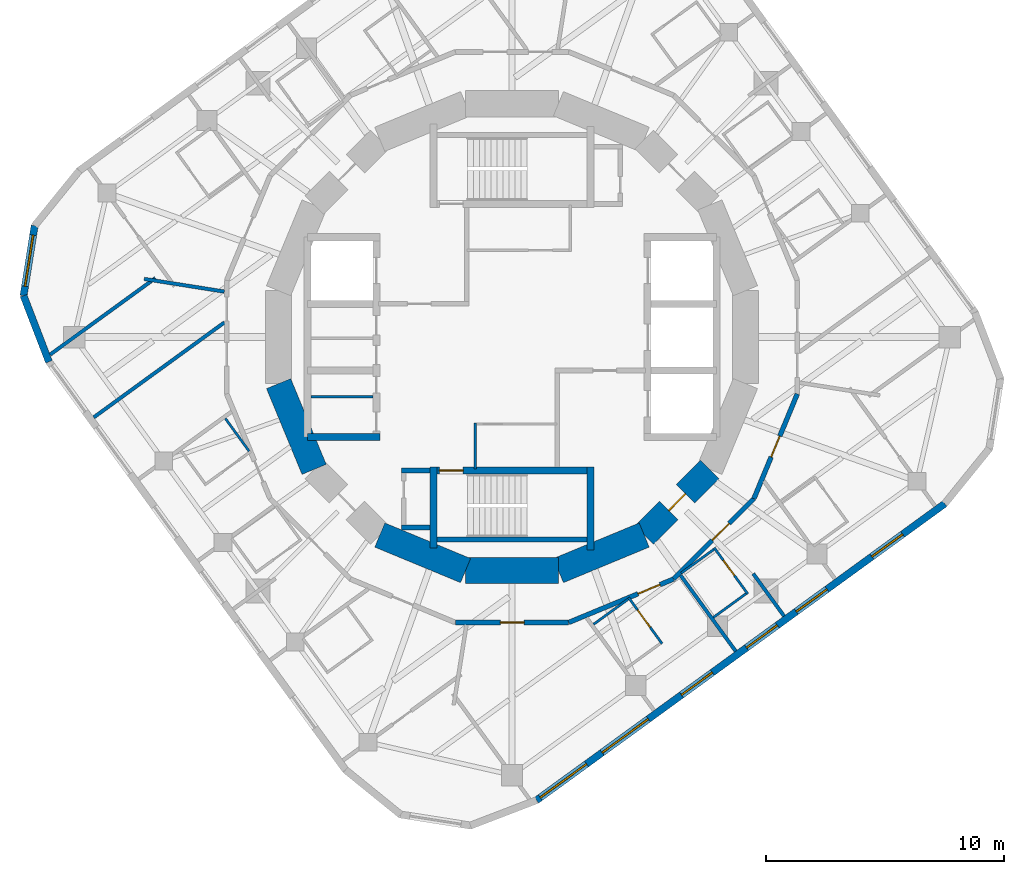
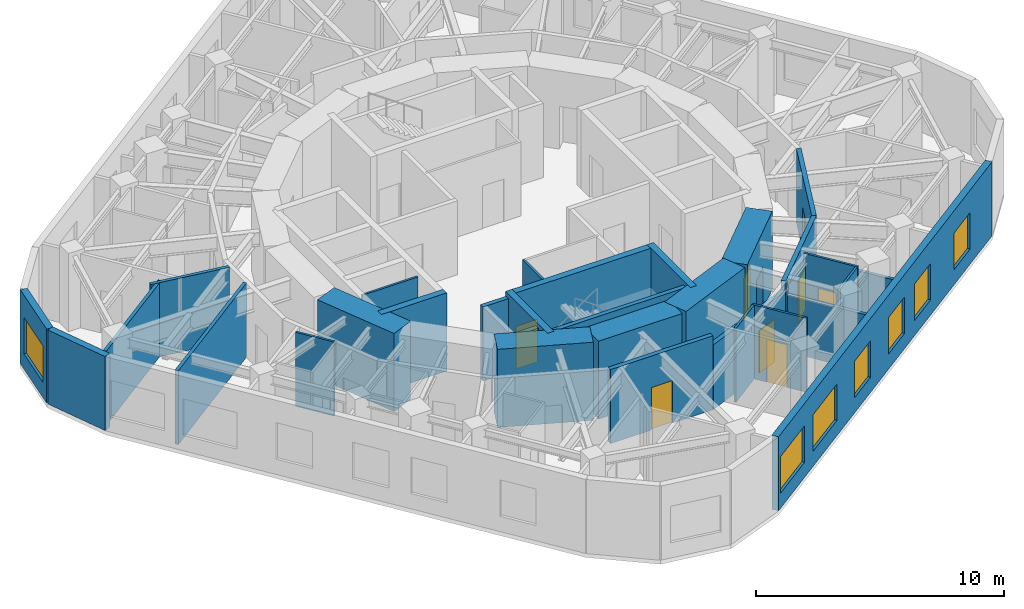
# One storey, part 4 of 9: 32 walls, 8 doors, 7 windows, 15 openings.
"""IFC4 building model written with IfcOpenShell, lengths in metres."""

from ifc_helpers import new_model, si_unit, direction, frame, frame_2d, origin, place, context, subcontext, project, spatial, rectangle, extrude, material, layer, layer_set, type_object, element, fill, save


model = new_model("IFC4")

# Units and contexts
model_context = context("Model", 3, precision=1e-05, world=origin(), true_north=direction((0.0, 1.0)))
body_context = subcontext(model_context, "Body", "Model", "MODEL_VIEW")
ifc_project = project(units=[si_unit("LENGTHUNIT", "METRE"), si_unit("AREAUNIT", "SQUARE_METRE"), si_unit("VOLUMEUNIT", "CUBIC_METRE"), si_unit("PLANEANGLEUNIT", "RADIAN"), si_unit("MASSUNIT", "GRAM", prefix="KILO")], contexts=[model_context])

# Site, building, storey
site_placement = place(None, origin())
site = spatial("IfcSite", under=ifc_project, at=site_placement, CompositionType="ELEMENT")
building_placement = place(site_placement, origin())
building = spatial("IfcBuilding", under=site, at=building_placement, Name="Nakasero Lantern House", CompositionType="ELEMENT")
storey_placement = place(building_placement, frame((0.0, 0.0, 275.300048828125)))
storey = spatial("IfcBuildingStorey", under=building, at=storey_placement, Name="L67", CompositionType="ELEMENT", Elevation=275.300048828125)

# Wall
ifc_material_1 = material(Name="Concrete C50/60", Category="concrete")
ifc_layer_1 = layer(ifc_material_1, 0.300048828125)
ifc_layer_set_1 = layer_set([ifc_layer_1], Name="Core inner wall 300")
wall_type_1 = type_object("IfcWallType", Name="Core inner wall 300", PredefinedType="SHEAR", material=ifc_layer_set_1)
wall_1_placement = place(storey_placement, frame((-8.60009765625, -4.199951171875, 0.0), z_axis=(0.0, 0.0, 1.0), x_axis=(1.0, 0.0, 0.0)))
element("IfcWall", 1, at=wall_1_placement, inside=storey, type_object=wall_type_1, Name="Core inner wall L67 LWS", PredefinedType="SHEAR", context=body_context, shape_type="SweptSolid", body=[
    extrude(rectangle(XDim=3.050048828125, YDim=0.300048828125, at=frame_2d((1.52490234375, 0.0))), origin(), (0.0, 0.0, 1.0), 3.849853515625),
])

# Wall, opening, door
wall_2_placement = place(storey_placement, frame((-3.449951171875, -5.60009765625, 0.0), z_axis=(0.0, 0.0, 1.0), x_axis=(1.0, 0.0, 0.0)))
wall_2 = element("IfcWall", 2, at=wall_2_placement, inside=storey, type_object=wall_type_1, Name="Core inner wall L67 SS", PredefinedType="SHEAR", context=body_context, shape_type="SweptSolid", body=[
    extrude(rectangle(XDim=6.89990234375, YDim=0.300048828125, at=frame_2d((3.449951171875, 0.0))), origin(), (0.0, 0.0, 1.0), 3.849853515625),
])
opening_1_placement = place(wall_2_placement, frame((0.39990234375, 0.0, 0.0)))
opening_1 = element("IfcOpeningElement", 3, at=opening_1_placement, cuts=wall_2, Name="Opening D05", PredefinedType="OPENING", context=body_context, shape_type="SweptSolid", body=[
    extrude(rectangle(XDim=1.0, YDim=2.10009765625, at=frame_2d((0.5, 1.050048828125))), frame((0.0, 0.169921875, 0.0), z_axis=(0.0, -1.0, 0.0), x_axis=(1.0, 0.0, 0.0)), (0.0, 0.0, 1.0), 0.340087890625),
])
ifc_material_2 = material(Name="Timber C24", Category="wood")
door_type_1 = type_object("IfcDoorType", Name="Core door FD60S 1000", OperationType="SINGLE_SWING_LEFT", PredefinedType="DOOR", material=ifc_material_2)
door_1_placement = place(opening_1_placement, origin())
door_1 = element("IfcDoor", 4, at=door_1_placement, inside=storey, type_object=door_type_1, Name="Door L67 D-ST2", OperationType="SINGLE_SWING_LEFT", OverallHeight=2.10009765625, OverallWidth=1.0, PredefinedType="DOOR", context=body_context, shape_type="SweptSolid", body=[
    extrude(rectangle(XDim=1.0, YDim=2.10009765625, at=frame_2d((0.5, 1.050048828125))), frame((0.0, 0.02490234375, 0.0), z_axis=(0.0, -1.0, 0.0), x_axis=(1.0, 0.0, 0.0)), (0.0, 0.0, 1.0), 0.050048828125),
])
fill(opening_1, door_1)

# Walls
wall_3_placement = place(storey_placement, frame((-3.300048828125, -5.449951171875, 0.0), z_axis=(0.0, 0.0, 1.0), x_axis=(0.0, -1.0, 0.0)))
element("IfcWall", 5, at=wall_3_placement, inside=storey, type_object=wall_type_1, Name="Core inner wall L67 SSW", PredefinedType="SHEAR", context=body_context, shape_type="SweptSolid", body=[
    extrude(rectangle(XDim=3.400146484375, YDim=0.300048828125, at=frame_2d((1.7001953125, 0.0))), origin(), (0.0, 0.0, 1.0), 3.849853515625),
])
wall_4_placement = place(storey_placement, frame((3.300048828125, -5.449951171875, 0.0), z_axis=(0.0, 0.0, 1.0), x_axis=(0.0, -1.0, 0.0)))
element("IfcWall", 6, at=wall_4_placement, inside=storey, type_object=wall_type_1, Name="Core inner wall L67 SSE", PredefinedType="SHEAR", context=body_context, shape_type="SweptSolid", body=[
    extrude(rectangle(XDim=3.5, YDim=0.300048828125, at=frame_2d((1.75, 0.0))), origin(), (0.0, 0.0, 1.0), 3.849853515625),
])
ifc_material_3 = material(Name="Blockwork", Category="masonry")
ifc_layer_2 = layer(ifc_material_3, 0.10009765625)
ifc_layer_set_2 = layer_set([ifc_layer_2], Name="Core room wall 100")
wall_type_2 = type_object("IfcWallType", Name="Core room wall 100", PredefinedType="PARTITIONING", material=ifc_layer_set_2)
wall_5_placement = place(storey_placement, frame((-1.550048828125, -5.550048828125, 0.0), z_axis=(0.0, 0.0, 1.0), x_axis=(0.0, 1.0, 0.0)))
element("IfcWall", 7, at=wall_5_placement, inside=storey, type_object=wall_type_2, Name="Core room wall L67 CR-SWW", PredefinedType="PARTITIONING", context=body_context, shape_type="SweptSolid", body=[
    extrude(rectangle(XDim=1.949951171875, YDim=0.10009765625, at=frame_2d((0.97509765625, 0.0))), origin(), (0.0, 0.0, 1.0), 3.64990234375),
])
wall_6_placement = place(storey_placement, frame((-8.449951171875, -2.5, 0.0), z_axis=(0.0, 0.0, 1.0), x_axis=(1.0, 0.0, 0.0)))
element("IfcWall", 8, at=wall_6_placement, inside=storey, type_object=wall_type_2, Name="Core room wall L67 CR-SH-LW1b", PredefinedType="PARTITIONING", context=body_context, shape_type="SweptSolid", body=[
    extrude(rectangle(XDim=2.599853515625, YDim=0.10009765625, at=frame_2d((1.2998046875, 0.0))), origin(), (0.0, 0.0, 1.0), 3.64990234375),
])
ifc_material_4 = material(Name="Concrete C50/60", Category="concrete")
ifc_layer_3 = layer(ifc_material_4, 1.10009765625)
ifc_layer_set_3 = layer_set([ifc_layer_3], Name="Core wall 1100")
wall_type_3 = type_object("IfcWallType", Name="Core wall 1100", PredefinedType="SHEAR", material=ifc_layer_set_3)
for number, where, z_axis, x_axis, name in (
    (9, (-9.807861328125, -1.950927734375, 0.0), (0.0, 0.0, 1.0), (0.382690736062, -0.923876507187, 0.0), "Core wall L67 facet 9"),
    (10, (-5.5556640625, -8.314697265625, 0.0), (0.0, 0.0, 1.0), (0.923876507187, -0.382690736062, 0.0), "Core wall L67 facet 11"),
    (11, (-1.950927734375, -9.807861328125, 0.0), (0.0, 0.0, 1.0), (1.0, 0.0, 0.0), "Core wall L67 facet 12"),
    (12, (1.950927734375, -9.807861328125, 0.0), (0.0, 0.0, 1.0), (0.923876507187, 0.382690736062, 0.0), "Core wall L67 facet 13"),
):
    element("IfcWall", number, at=place(storey_placement, frame(where, z_axis=z_axis, x_axis=x_axis)), inside=storey, type_object=wall_type_3, Name=name, PredefinedType="SHEAR", context=body_context, shape_type="SweptSolid", body=[
        extrude(rectangle(XDim=3.90185546875, YDim=1.10009765625, at=frame_2d((1.950927734375, 0.0))), origin(), (0.0, 0.0, 1.0), 3.849853515625),
    ])

# Wall, opening, door
wall_7_placement = place(storey_placement, frame((5.5556640625, -8.314697265625, 0.0), z_axis=(0.0, 0.0, 1.0), x_axis=(0.707106781187, 0.707106781187, 0.0)))
wall_7 = element("IfcWall", 13, at=wall_7_placement, inside=storey, type_object=wall_type_3, Name="Core wall L67 facet 14", PredefinedType="SHEAR", context=body_context, shape_type="SweptSolid", body=[
    extrude(rectangle(XDim=3.90185546875, YDim=1.10009765625, at=frame_2d((1.950927734375, 0.0))), origin(), (0.0, 0.0, 1.0), 3.849853515625),
])
opening_2_placement = place(wall_7_placement, frame((1.450927734375, 0.0, 0.0)))
opening_2 = element("IfcOpeningElement", 14, at=opening_2_placement, cuts=wall_7, Name="Opening D05", PredefinedType="OPENING", context=body_context, shape_type="SweptSolid", body=[
    extrude(rectangle(XDim=1.0, YDim=2.10009765625, at=frame_2d((0.5, 1.050048828125))), frame((0.0, 0.570068359375, 0.0), z_axis=(0.0, -1.0, 0.0), x_axis=(1.0, 0.0, 0.0)), (0.0, 0.0, 1.0), 1.14013671875),
])
door_2_placement = place(opening_2_placement, origin())
door_2 = element("IfcDoor", 15, at=door_2_placement, inside=storey, type_object=door_type_1, Name="Door L67 D-CORE14", OperationType="SINGLE_SWING_LEFT", OverallHeight=2.10009765625, OverallWidth=1.0, PredefinedType="DOOR", context=body_context, shape_type="SweptSolid", body=[
    extrude(rectangle(XDim=1.0, YDim=2.10009765625, at=frame_2d((0.5, 1.050048828125))), frame((0.0, 0.02490234375, 0.0), z_axis=(0.0, -1.0, 0.0), x_axis=(1.0, 0.0, 0.0)), (0.0, 0.0, 1.0), 0.050048828125),
])
fill(opening_2, door_2)

ifc_material_5 = material(Name="Blockwork", Category="masonry")
ifc_layer_4 = layer(ifc_material_5, 0.199951171875)
ifc_layer_set_4 = layer_set([ifc_layer_4], Name="Corridor wall 200")
wall_type_4 = type_object("IfcWallType", Name="Corridor wall 200", PredefinedType="PARTITIONING", material=ifc_layer_set_4)
wall_8_placement = place(storey_placement, frame((11.98779296875, -2.384521484375, 0.0), z_axis=(0.0, 0.0, 1.0), x_axis=(-0.382669792111, -0.923885182372, 0.0)))
wall_8 = element("IfcWall", 16, at=wall_8_placement, inside=storey, type_object=wall_type_4, Name="Corridor wall L67 RC01a", PredefinedType="PARTITIONING", context=body_context, shape_type="SweptSolid", body=[
    extrude(rectangle(XDim=4.76904296875, YDim=0.199951171875, at=frame_2d((2.384521484375, 0.0))), origin(), (0.0, 0.0, 1.0), 3.64990234375),
])
opening_3_placement = place(wall_8_placement, frame((1.919921875, 0.0, 0.0)))
opening_3 = element("IfcOpeningElement", 17, at=opening_3_placement, cuts=wall_8, Name="Opening D01", PredefinedType="OPENING", context=body_context, shape_type="SweptSolid", body=[
    extrude(rectangle(XDim=0.949951171875, YDim=2.10009765625, at=frame_2d((0.47509765625, 1.050048828125))), frame((0.0, 0.119873046875, 0.0), z_axis=(0.0, -1.0, 0.0), x_axis=(1.0, 0.0, 0.0)), (0.0, 0.0, 1.0), 0.239990234375),
])
ifc_material_6 = material(Name="Timber C24", Category="wood")
door_type_2 = type_object("IfcDoorType", Name="Bedroom door FD30S 950", OperationType="SINGLE_SWING_LEFT", PredefinedType="DOOR", material=ifc_material_6)
door_3_placement = place(opening_3_placement, origin())
door_3 = element("IfcDoor", 18, at=door_3_placement, inside=storey, type_object=door_type_2, Name="Door L67 D3-06", OperationType="SINGLE_SWING_RIGHT", OverallHeight=2.10009765625, OverallWidth=0.949951171875, PredefinedType="DOOR", context=body_context, shape_type="SweptSolid", body=[
    extrude(rectangle(XDim=0.949951171875, YDim=2.10009765625, at=frame_2d((0.47509765625, 1.050048828125))), frame((0.0, 0.02490234375, 0.0), z_axis=(0.0, -1.0, 0.0), x_axis=(1.0, 0.0, 0.0)), (0.0, 0.0, 1.0), 0.050048828125),
])
fill(opening_3, door_3)

wall_9_placement = place(storey_placement, frame((10.162841796875, -6.79052734375, 0.0), z_axis=(0.0, 0.0, 1.0), x_axis=(-0.707106781187, -0.707106781187, 0.0)))
wall_9 = element("IfcWall", 19, at=wall_9_placement, inside=storey, type_object=wall_type_4, Name="Corridor wall L67 RC02a", PredefinedType="PARTITIONING", context=body_context, shape_type="SweptSolid", body=[
    extrude(rectangle(XDim=4.769287109375, YDim=0.199951171875, at=frame_2d((2.384765625, 0.0))), origin(), (0.0, 0.0, 1.0), 3.64990234375),
])
opening_4_placement = place(wall_9_placement, frame((1.469970703125, 0.0, 0.0)))
opening_4 = element("IfcOpeningElement", 20, at=opening_4_placement, cuts=wall_9, Name="Opening D07", PredefinedType="OPENING", context=body_context, shape_type="SweptSolid", body=[
    extrude(rectangle(XDim=1.0, YDim=2.10009765625, at=frame_2d((0.5, 1.050048828125))), frame((0.0, 0.119873046875, 0.0), z_axis=(0.0, -1.0, 0.0), x_axis=(1.0, 0.0, 0.0)), (0.0, 0.0, 1.0), 0.239990234375),
])
ifc_material_7 = material(Name="Timber C24", Category="wood")
door_type_3 = type_object("IfcDoorType", Name="Room door FD30S 1000", OperationType="SINGLE_SWING_LEFT", PredefinedType="DOOR", material=ifc_material_7)
door_4_placement = place(opening_4_placement, origin())
door_4 = element("IfcDoor", 21, at=door_4_placement, inside=storey, type_object=door_type_3, Name="Door L67 D3-04", OperationType="SINGLE_SWING_LEFT", OverallHeight=2.10009765625, OverallWidth=1.0, PredefinedType="DOOR", context=body_context, shape_type="SweptSolid", body=[
    extrude(rectangle(XDim=1.0, YDim=2.10009765625, at=frame_2d((0.5, 1.050048828125))), frame((0.0, 0.02490234375, 0.0), z_axis=(0.0, -1.0, 0.0), x_axis=(1.0, 0.0, 0.0)), (0.0, 0.0, 1.0), 0.050048828125),
])
fill(opening_4, door_4)

wall_10_placement = place(storey_placement, frame((6.79052734375, -10.162841796875, 0.0), z_axis=(0.0, 0.0, 1.0), x_axis=(-0.923885182372, -0.382669792111, 0.0)))
wall_10 = element("IfcWall", 22, at=wall_10_placement, inside=storey, type_object=wall_type_4, Name="Corridor wall L67 RC03a", PredefinedType="PARTITIONING", context=body_context, shape_type="SweptSolid", body=[
    extrude(rectangle(XDim=4.76904296875, YDim=0.199951171875, at=frame_2d((2.384521484375, 0.0))), origin(), (0.0, 0.0, 1.0), 3.18994140625),
])
opening_5_placement = place(wall_10_placement, frame((0.6201171875, 0.0, 0.0)))
opening_5 = element("IfcOpeningElement", 23, at=opening_5_placement, cuts=wall_10, Name="Opening D07", PredefinedType="OPENING", context=body_context, shape_type="SweptSolid", body=[
    extrude(rectangle(XDim=1.0, YDim=2.10009765625, at=frame_2d((0.5, 1.050048828125))), frame((0.0, 0.119873046875, 0.0), z_axis=(0.0, -1.0, 0.0), x_axis=(1.0, 0.0, 0.0)), (0.0, 0.0, 1.0), 0.239990234375),
])
door_5_placement = place(opening_5_placement, origin())
door_5 = element("IfcDoor", 24, at=door_5_placement, inside=storey, type_object=door_type_3, Name="Door L67 D3-03", OperationType="SINGLE_SWING_LEFT", OverallHeight=2.10009765625, OverallWidth=1.0, PredefinedType="DOOR", context=body_context, shape_type="SweptSolid", body=[
    extrude(rectangle(XDim=1.0, YDim=2.10009765625, at=frame_2d((0.5, 1.050048828125))), frame((0.0, 0.02490234375, 0.0), z_axis=(0.0, -1.0, 0.0), x_axis=(1.0, 0.0, 0.0)), (0.0, 0.0, 1.0), 0.050048828125),
])
fill(opening_5, door_5)

wall_11_placement = place(storey_placement, frame((2.384521484375, -11.98779296875, 0.0), z_axis=(0.0, 0.0, 1.0), x_axis=(-1.0, 0.0, 0.0)))
wall_11 = element("IfcWall", 25, at=wall_11_placement, inside=storey, type_object=wall_type_4, Name="Corridor wall L67 RC04a", PredefinedType="PARTITIONING", context=body_context, shape_type="SweptSolid", body=[
    extrude(rectangle(XDim=4.76904296875, YDim=0.199951171875, at=frame_2d((2.384521484375, 0.0))), origin(), (0.0, 0.0, 1.0), 3.64990234375),
])
opening_6_placement = place(wall_11_placement, frame((1.8701171875, 0.0, 0.0)))
opening_6 = element("IfcOpeningElement", 26, at=opening_6_placement, cuts=wall_11, Name="Opening D03", PredefinedType="OPENING", context=body_context, shape_type="SweptSolid", body=[
    extrude(rectangle(XDim=1.0, YDim=2.10009765625, at=frame_2d((0.5, 1.050048828125))), frame((0.0, 0.119873046875, 0.0), z_axis=(0.0, -1.0, 0.0), x_axis=(1.0, 0.0, 0.0)), (0.0, 0.0, 1.0), 0.239990234375),
])
ifc_material_8 = material(Name="Timber C24", Category="wood")
door_type_4 = type_object("IfcDoorType", Name="Lounge door FD30S 1000", OperationType="SINGLE_SWING_LEFT", PredefinedType="DOOR", material=ifc_material_8)
door_6_placement = place(opening_6_placement, origin())
door_6 = element("IfcDoor", 27, at=door_6_placement, inside=storey, type_object=door_type_4, Name="Door L67 DK3", OperationType="SINGLE_SWING_LEFT", OverallHeight=2.10009765625, OverallWidth=1.0, PredefinedType="DOOR", context=body_context, shape_type="SweptSolid", body=[
    extrude(rectangle(XDim=1.0, YDim=2.10009765625, at=frame_2d((0.5, 1.050048828125))), frame((0.0, 0.02490234375, 0.0), z_axis=(0.0, -1.0, 0.0), x_axis=(1.0, 0.0, 0.0)), (0.0, 0.0, 1.0), 0.050048828125),
])
fill(opening_6, door_6)

# Wall
ifc_material_9 = material(Name="Blockwork", Category="masonry")
ifc_layer_5 = layer(ifc_material_9, 0.10009765625)
ifc_layer_set_5 = layer_set([ifc_layer_5], Name="En-suite wall 100")
wall_type_5 = type_object("IfcWallType", Name="En-suite wall 100", PredefinedType="PARTITIONING", material=ifc_layer_set_5)
wall_12_placement = place(storey_placement, frame((-12.046142578125, -3.414794921875, 0.0), z_axis=(0.0, 0.0, 1.0), x_axis=(0.587659235066, -0.809108536256, 0.0)))
element("IfcWall", 28, at=wall_12_placement, inside=storey, type_object=wall_type_5, Name="En-suite wall L67 EI2-03", PredefinedType="PARTITIONING", context=body_context, shape_type="SweptSolid", body=[
    extrude(rectangle(XDim=1.699951171875, YDim=0.10009765625, at=frame_2d((0.85009765625, 0.0))), origin(), (0.0, 0.0, 1.0), 3.64990234375),
])

# Wall, opening, door
wall_13_placement = place(storey_placement, frame((4.896240234375, -10.937744140625, 0.0), z_axis=(0.0, 0.0, 1.0), x_axis=(0.587772420479, -0.809026317077, 0.0)))
wall_13 = element("IfcWall", 29, at=wall_13_placement, inside=storey, type_object=wall_type_5, Name="En-suite wall L67 ES3-03", PredefinedType="PARTITIONING", context=body_context, shape_type="SweptSolid", body=[
    extrude(rectangle(XDim=2.39990234375, YDim=0.10009765625, at=frame_2d((1.199951171875, 0.0))), origin(), (0.0, 0.0, 1.0), 3.64990234375),
])
opening_7_placement = place(wall_13_placement, frame((0.64990234375, 0.0, 0.0)))
opening_7 = element("IfcOpeningElement", 30, at=opening_7_placement, cuts=wall_13, Name="Opening D16", PredefinedType="OPENING", context=body_context, shape_type="SweptSolid", body=[
    extrude(rectangle(XDim=0.89990234375, YDim=2.10009765625, at=frame_2d((0.449951171875, 1.050048828125))), frame((0.0, 0.070068359375, 0.0), z_axis=(0.0, -1.0, 0.0), x_axis=(1.0, 0.0, 0.0)), (0.0, 0.0, 1.0), 0.14013671875),
])
ifc_material_10 = material(Name="Timber C24", Category="wood")
door_type_5 = type_object("IfcDoorType", Name="Accessible WC door 900", OperationType="SINGLE_SWING_RIGHT", PredefinedType="DOOR", material=ifc_material_10)
door_7_placement = place(opening_7_placement, origin())
door_7 = element("IfcDoor", 31, at=door_7_placement, inside=storey, type_object=door_type_5, Name="Door L67 DE3-03", OperationType="SINGLE_SWING_LEFT", OverallHeight=2.10009765625, OverallWidth=0.89990234375, PredefinedType="DOOR", context=body_context, shape_type="SweptSolid", body=[
    extrude(rectangle(XDim=0.89990234375, YDim=2.10009765625, at=frame_2d((0.449951171875, 1.050048828125))), frame((0.0, 0.02490234375, 0.0), z_axis=(0.0, -1.0, 0.0), x_axis=(1.0, 0.0, 0.0)), (0.0, 0.0, 1.0), 0.050048828125),
])
fill(opening_7, door_7)

# Wall
wall_14_placement = place(storey_placement, frame((3.428955078125, -12.065673828125, 0.0), z_axis=(0.0, 0.0, 1.0), x_axis=(0.809005783898, 0.58780068188, 0.0)))
element("IfcWall", 32, at=wall_14_placement, inside=storey, type_object=wall_type_5, Name="En-suite wall L67 EI3-03", PredefinedType="PARTITIONING", context=body_context, shape_type="SweptSolid", body=[
    extrude(rectangle(XDim=1.800048828125, YDim=0.10009765625, at=frame_2d((0.89990234375, 0.0))), origin(), (0.0, 0.0, 1.0), 3.64990234375),
])

# Wall, opening, door
wall_15_placement = place(storey_placement, frame((8.495849609375, -8.846435546875, 0.0), z_axis=(0.0, 0.0, 1.0), x_axis=(0.587772420479, -0.809026317077, 0.0)))
wall_15 = element("IfcWall", 33, at=wall_15_placement, inside=storey, type_object=wall_type_5, Name="En-suite wall L67 ES3-04", PredefinedType="PARTITIONING", context=body_context, shape_type="SweptSolid", body=[
    extrude(rectangle(XDim=2.39990234375, YDim=0.10009765625, at=frame_2d((1.199951171875, 0.0))), origin(), (0.0, 0.0, 1.0), 3.64990234375),
])
opening_8_placement = place(wall_15_placement, frame((0.64990234375, 0.0, 0.0)))
opening_8 = element("IfcOpeningElement", 34, at=opening_8_placement, cuts=wall_15, Name="Opening D15", PredefinedType="OPENING", context=body_context, shape_type="SweptSolid", body=[
    extrude(rectangle(XDim=0.800048828125, YDim=2.10009765625, at=frame_2d((0.39990234375, 1.050048828125))), frame((0.0, 0.070068359375, 0.0), z_axis=(0.0, -1.0, 0.0), x_axis=(1.0, 0.0, 0.0)), (0.0, 0.0, 1.0), 0.14013671875),
])
ifc_material_11 = material(Name="Timber C24", Category="wood")
door_type_6 = type_object("IfcDoorType", Name="Cleaner's store door FD30S 800", OperationType="SINGLE_SWING_LEFT", PredefinedType="DOOR", material=ifc_material_11)
door_8_placement = place(opening_8_placement, origin())
door_8 = element("IfcDoor", 35, at=door_8_placement, inside=storey, type_object=door_type_6, Name="Door L67 DE3-04", OperationType="SINGLE_SWING_LEFT", OverallHeight=2.10009765625, OverallWidth=0.800048828125, PredefinedType="DOOR", context=body_context, shape_type="SweptSolid", body=[
    extrude(rectangle(XDim=0.800048828125, YDim=2.10009765625, at=frame_2d((0.39990234375, 1.050048828125))), frame((0.0, 0.02490234375, 0.0), z_axis=(0.0, -1.0, 0.0), x_axis=(1.0, 0.0, 0.0)), (0.0, 0.0, 1.0), 0.050048828125),
])
fill(opening_8, door_8)

# Walls
wall_16_placement = place(storey_placement, frame((8.461181640625, -11.7763671875, 0.0), z_axis=(0.0, 0.0, 1.0), x_axis=(0.809040252033, 0.58775323954, 0.0)))
element("IfcWall", 36, at=wall_16_placement, inside=storey, type_object=wall_type_5, Name="En-suite wall L67 EE3-04", PredefinedType="PARTITIONING", context=body_context, shape_type="SweptSolid", body=[
    extrude(rectangle(XDim=1.7001953125, YDim=0.10009765625, at=frame_2d((0.85009765625, 0.0))), origin(), (0.0, 0.0, 1.0), 3.64990234375),
])
wall_17_placement = place(storey_placement, frame((7.109375, -9.91552734375, 0.0), z_axis=(0.0, 0.0, 1.0), x_axis=(0.808990636343, 0.587821529301, 0.0)))
element("IfcWall", 37, at=wall_17_placement, inside=storey, type_object=wall_type_5, Name="En-suite wall L67 EI3-04", PredefinedType="PARTITIONING", context=body_context, shape_type="SweptSolid", body=[
    extrude(rectangle(XDim=1.699951171875, YDim=0.10009765625, at=frame_2d((0.85009765625, 0.0))), origin(), (0.0, 0.0, 1.0), 3.18994140625),
])

# Wall, opening, window
ifc_material_12 = material(Name="Aluminium rainscreen on blockwork", Category="masonry")
ifc_layer_6 = layer(ifc_material_12, 0.300048828125)
ifc_layer_set_6 = layer_set([ifc_layer_6], Name="Facade wall 300")
wall_type_6 = type_object("IfcWallType", Name="Facade wall 300", PredefinedType="SOLIDWALL", material=ifc_layer_set_6)
wall_18_placement = place(storey_placement, frame((-20.05908203125, 4.683837890625, 0.0), z_axis=(0.0, 0.0, 1.0), x_axis=(-0.156413227021, -0.987691704133, 0.0)))
wall_18 = element("IfcWall", 38, at=wall_18_placement, inside=storey, type_object=wall_type_6, Name="Facade wall L67 FW1C2", PredefinedType="SOLIDWALL", context=body_context, shape_type="SweptSolid", body=[
    extrude(rectangle(XDim=2.9765625, YDim=0.300048828125, at=frame_2d((1.48828125, 0.0))), origin(), (0.0, 0.0, 1.0), 3.64990234375),
])
opening_9_placement = place(wall_18_placement, frame((0.39990234375, 0.0, 0.75)))
opening_9 = element("IfcOpeningElement", 39, at=opening_9_placement, cuts=wall_18, Name="Opening W221", PredefinedType="OPENING", context=body_context, shape_type="SweptSolid", body=[
    extrude(rectangle(XDim=2.176025390625, YDim=1.800048828125, at=frame_2d((1.087890625, 0.89990234375))), frame((0.0, 0.169921875, 0.0), z_axis=(0.0, -1.0, 0.0), x_axis=(1.0, 0.0, 0.0)), (0.0, 0.0, 1.0), 0.340087890625),
])
ifc_material_13 = material(Name="Aluminium 6063-T6 and glass", Category="aluminium")
window_type_1 = type_object("IfcWindowType", Name="Corner window 2176x1800", PartitioningType="SINGLE_PANEL", PredefinedType="WINDOW", material=ifc_material_13)
window_1_placement = place(opening_9_placement, origin())
window_1 = element("IfcWindow", 40, at=window_1_placement, inside=storey, type_object=window_type_1, Name="Window L67 WC1", OverallHeight=1.800048828125, OverallWidth=2.176025390625, PartitioningType="SINGLE_PANEL", PredefinedType="WINDOW", context=body_context, shape_type="SweptSolid", body=[
    extrude(rectangle(XDim=2.176025390625, YDim=1.800048828125, at=frame_2d((1.087890625, 0.89990234375))), frame((0.0, 0.030029296875, 0.0), z_axis=(0.0, -1.0, 0.0), x_axis=(1.0, 0.0, 0.0)), (0.0, 0.0, 1.0), 0.06005859375),
])
fill(opening_9, window_1)

# Wall
wall_19_placement = place(storey_placement, frame((-20.524658203125, 1.743896484375, 0.0), z_axis=(0.0, 0.0, 1.0), x_axis=(0.35838535244, -0.933573745966, 0.0)))
element("IfcWall", 41, at=wall_19_placement, inside=storey, type_object=wall_type_6, Name="Facade wall L67 FW1C3", PredefinedType="SOLIDWALL", context=body_context, shape_type="SweptSolid", body=[
    extrude(rectangle(XDim=2.976318359375, YDim=0.300048828125, at=frame_2d((1.48828125, 0.0))), origin(), (0.0, 0.0, 1.0), 3.64990234375),
])

# Wall, openings, windows
wall_20_placement = place(storey_placement, frame((1.03466796875, -19.4580078125, 0.0), z_axis=(0.0, 0.0, 1.0), x_axis=(0.809013375328, 0.587790233451, 0.0)))
wall_20 = element("IfcWall", 42, at=wall_20_placement, inside=storey, type_object=wall_type_6, Name="Facade wall L67 FW3S", PredefinedType="SOLIDWALL", context=body_context, shape_type="SweptSolid", body=[
    extrude(rectangle(XDim=21.199951171875, YDim=0.300048828125, at=frame_2d((10.60009765625, 0.0))), origin(), (0.0, 0.0, 1.0), 3.64990234375),
])
opening_10_placement = place(wall_20_placement, frame((7.52783203125, 0.0, 0.75)))
opening_10 = element("IfcOpeningElement", 43, at=opening_10_placement, cuts=wall_20, Name="Opening W01", PredefinedType="OPENING", context=body_context, shape_type="SweptSolid", body=[
    extrude(rectangle(XDim=1.60009765625, YDim=1.800048828125, at=frame_2d((0.800048828125, 0.89990234375))), frame((0.0, 0.169921875, 0.0), z_axis=(0.0, -1.0, 0.0), x_axis=(1.0, 0.0, 0.0)), (0.0, 0.0, 1.0), 0.340087890625),
])
opening_11_placement = place(wall_20_placement, frame((10.904052734375, 0.0, 0.75)))
opening_11 = element("IfcOpeningElement", 44, at=opening_11_placement, cuts=wall_20, Name="Opening W01", PredefinedType="OPENING", context=body_context, shape_type="SweptSolid", body=[
    extrude(rectangle(XDim=1.60009765625, YDim=1.800048828125, at=frame_2d((0.800048828125, 0.89990234375))), frame((0.0, 0.169921875, 0.0), z_axis=(0.0, -1.0, 0.0), x_axis=(1.0, 0.0, 0.0)), (0.0, 0.0, 1.0), 0.340087890625),
])
opening_12_placement = place(wall_20_placement, frame((13.484619140625, 0.0, 0.75)))
opening_12 = element("IfcOpeningElement", 45, at=opening_12_placement, cuts=wall_20, Name="Opening W01", PredefinedType="OPENING", context=body_context, shape_type="SweptSolid", body=[
    extrude(rectangle(XDim=1.60009765625, YDim=1.800048828125, at=frame_2d((0.800048828125, 0.89990234375))), frame((0.0, 0.169921875, 0.0), z_axis=(0.0, -1.0, 0.0), x_axis=(1.0, 0.0, 0.0)), (0.0, 0.0, 1.0), 0.340087890625),
])
opening_13_placement = place(wall_20_placement, frame((17.410888671875, 0.0, 0.75)))
opening_13 = element("IfcOpeningElement", 46, at=opening_13_placement, cuts=wall_20, Name="Opening W01", PredefinedType="OPENING", context=body_context, shape_type="SweptSolid", body=[
    extrude(rectangle(XDim=1.60009765625, YDim=1.800048828125, at=frame_2d((0.800048828125, 0.89990234375))), frame((0.0, 0.169921875, 0.0), z_axis=(0.0, -1.0, 0.0), x_axis=(1.0, 0.0, 0.0)), (0.0, 0.0, 1.0), 0.340087890625),
])
opening_14_placement = place(wall_20_placement, frame((0.1904296875, 0.0, 0.75)))
opening_14 = element("IfcOpeningElement", 47, at=opening_14_placement, cuts=wall_20, Name="Opening W03", PredefinedType="OPENING", context=body_context, shape_type="SweptSolid", body=[
    extrude(rectangle(XDim=2.39990234375, YDim=1.800048828125, at=frame_2d((1.199951171875, 0.89990234375))), frame((0.0, 0.169921875, 0.0), z_axis=(0.0, -1.0, 0.0), x_axis=(1.0, 0.0, 0.0)), (0.0, 0.0, 1.0), 0.340087890625),
])
opening_15_placement = place(wall_20_placement, frame((3.401611328125, 0.0, 0.75)))
opening_15 = element("IfcOpeningElement", 48, at=opening_15_placement, cuts=wall_20, Name="Opening W03", PredefinedType="OPENING", context=body_context, shape_type="SweptSolid", body=[
    extrude(rectangle(XDim=2.39990234375, YDim=1.800048828125, at=frame_2d((1.199951171875, 0.89990234375))), frame((0.0, 0.169921875, 0.0), z_axis=(0.0, -1.0, 0.0), x_axis=(1.0, 0.0, 0.0)), (0.0, 0.0, 1.0), 0.340087890625),
])
ifc_material_14 = material(Name="Aluminium 6063-T6 and glass", Category="aluminium")
window_type_2 = type_object("IfcWindowType", Name="Bedroom window 1600x1800", PartitioningType="SINGLE_PANEL", PredefinedType="WINDOW", material=ifc_material_14)
window_2_placement = place(opening_10_placement, origin())
window_2 = element("IfcWindow", 49, at=window_2_placement, inside=storey, type_object=window_type_2, Name="Window L67 WN3-03", OverallHeight=1.800048828125, OverallWidth=1.60009765625, PartitioningType="SINGLE_PANEL", PredefinedType="WINDOW", context=body_context, shape_type="SweptSolid", body=[
    extrude(rectangle(XDim=1.60009765625, YDim=1.800048828125, at=frame_2d((0.800048828125, 0.89990234375))), frame((0.0, 0.030029296875, 0.0), z_axis=(0.0, -1.0, 0.0), x_axis=(1.0, 0.0, 0.0)), (0.0, 0.0, 1.0), 0.06005859375),
])
fill(opening_10, window_2)
window_3_placement = place(opening_11_placement, origin())
window_3 = element("IfcWindow", 50, at=window_3_placement, inside=storey, type_object=window_type_2, Name="Window L67 WN3-04", OverallHeight=1.800048828125, OverallWidth=1.60009765625, PartitioningType="SINGLE_PANEL", PredefinedType="WINDOW", context=body_context, shape_type="SweptSolid", body=[
    extrude(rectangle(XDim=1.60009765625, YDim=1.800048828125, at=frame_2d((0.800048828125, 0.89990234375))), frame((0.0, 0.030029296875, 0.0), z_axis=(0.0, -1.0, 0.0), x_axis=(1.0, 0.0, 0.0)), (0.0, 0.0, 1.0), 0.06005859375),
])
fill(opening_11, window_3)
window_4_placement = place(opening_12_placement, origin())
window_4 = element("IfcWindow", 51, at=window_4_placement, inside=storey, type_object=window_type_2, Name="Window L67 WN3-05", OverallHeight=1.800048828125, OverallWidth=1.60009765625, PartitioningType="SINGLE_PANEL", PredefinedType="WINDOW", context=body_context, shape_type="SweptSolid", body=[
    extrude(rectangle(XDim=1.60009765625, YDim=1.800048828125, at=frame_2d((0.800048828125, 0.89990234375))), frame((0.0, 0.030029296875, 0.0), z_axis=(0.0, -1.0, 0.0), x_axis=(1.0, 0.0, 0.0)), (0.0, 0.0, 1.0), 0.06005859375),
])
fill(opening_12, window_4)
window_5_placement = place(opening_13_placement, origin())
window_5 = element("IfcWindow", 52, at=window_5_placement, inside=storey, type_object=window_type_2, Name="Window L67 WN3-06", OverallHeight=1.800048828125, OverallWidth=1.60009765625, PartitioningType="SINGLE_PANEL", PredefinedType="WINDOW", context=body_context, shape_type="SweptSolid", body=[
    extrude(rectangle(XDim=1.60009765625, YDim=1.800048828125, at=frame_2d((0.800048828125, 0.89990234375))), frame((0.0, 0.030029296875, 0.0), z_axis=(0.0, -1.0, 0.0), x_axis=(1.0, 0.0, 0.0)), (0.0, 0.0, 1.0), 0.06005859375),
])
fill(opening_13, window_5)
ifc_material_15 = material(Name="Aluminium 6063-T6 and glass", Category="aluminium")
window_type_3 = type_object("IfcWindowType", Name="Lounge window 2400x1800", PartitioningType="SINGLE_PANEL", PredefinedType="WINDOW", material=ifc_material_15)
window_6_placement = place(opening_14_placement, origin())
window_6 = element("IfcWindow", 53, at=window_6_placement, inside=storey, type_object=window_type_3, Name="Window L67 WK3", OverallHeight=1.800048828125, OverallWidth=2.39990234375, PartitioningType="SINGLE_PANEL", PredefinedType="WINDOW", context=body_context, shape_type="SweptSolid", body=[
    extrude(rectangle(XDim=2.39990234375, YDim=1.800048828125, at=frame_2d((1.199951171875, 0.89990234375))), frame((0.0, 0.030029296875, 0.0), z_axis=(0.0, -1.0, 0.0), x_axis=(1.0, 0.0, 0.0)), (0.0, 0.0, 1.0), 0.06005859375),
])
fill(opening_14, window_6)
window_7_placement = place(opening_15_placement, origin())
window_7 = element("IfcWindow", 54, at=window_7_placement, inside=storey, type_object=window_type_3, Name="Window L67 WL3", OverallHeight=1.800048828125, OverallWidth=2.39990234375, PartitioningType="SINGLE_PANEL", PredefinedType="WINDOW", context=body_context, shape_type="SweptSolid", body=[
    extrude(rectangle(XDim=2.39990234375, YDim=1.800048828125, at=frame_2d((1.199951171875, 0.89990234375))), frame((0.0, 0.030029296875, 0.0), z_axis=(0.0, -1.0, 0.0), x_axis=(1.0, 0.0, 0.0)), (0.0, 0.0, 1.0), 0.06005859375),
])
fill(opening_15, window_7)

# Walls
ifc_material_16 = material(Name="Blockwork", Category="masonry")
ifc_layer_7 = layer(ifc_material_16, 0.199951171875)
ifc_layer_set_7 = layer_set([ifc_layer_7], Name="Fire lobby wall 200")
wall_type_7 = type_object("IfcWallType", Name="Fire lobby wall 200", PredefinedType="PARTITIONING", material=ifc_layer_set_7)
for number, where, z_axis, x_axis, name in (
    (55, (-3.449951171875, -8.0, 0.0), (0.0, 0.0, 1.0), (-1.0, 0.0, 0.0), "Fire lobby wall L67 W-RS2S"),
    (56, (-3.449951171875, -5.60009765625, 0.0), (0.0, 0.0, 1.0), (-1.0, 0.0, 0.0), "Fire lobby wall L67 W-RS2N"),
):
    element("IfcWall", number, at=place(storey_placement, frame(where, z_axis=z_axis, x_axis=x_axis)), inside=storey, type_object=wall_type_7, Name=name, PredefinedType="PARTITIONING", context=body_context, shape_type="SweptSolid", body=[
        extrude(rectangle(XDim=1.199951171875, YDim=0.199951171875, at=frame_2d((0.60009765625, 0.0))), origin(), (0.0, 0.0, 1.0), 3.64990234375),
    ])
wall_21_placement = place(storey_placement, frame((-3.300048828125, -8.5, 0.0), z_axis=(0.0, 0.0, 1.0), x_axis=(1.0, 0.0, 0.0)))
element("IfcWall", 57, at=wall_21_placement, inside=storey, type_object=wall_type_7, Name="Fire lobby wall L67 W-STS", PredefinedType="PARTITIONING", context=body_context, shape_type="SweptSolid", body=[
    extrude(rectangle(XDim=6.60009765625, YDim=0.199951171875, at=frame_2d((3.300048828125, 0.0))), origin(), (0.0, 0.0, 1.0), 3.64990234375),
])
ifc_material_17 = material(Name="Blockwork", Category="masonry")
ifc_layer_8 = layer(ifc_material_17, 0.14990234375)
ifc_layer_set_8 = layer_set([ifc_layer_8], Name="Party wall 150")
wall_type_8 = type_object("IfcWallType", Name="Party wall 150", PredefinedType="PARTITIONING", material=ifc_layer_set_8)
wall_22_placement = place(storey_placement, frame((-12.087890625, 1.91455078125, 0.0), z_axis=(0.0, 0.0, 1.0), x_axis=(-0.98768913413, 0.156429454775, 0.0)))
element("IfcWall", 58, at=wall_22_placement, inside=storey, type_object=wall_type_8, Name="Party wall L67 PD1", PredefinedType="PARTITIONING", context=body_context, shape_type="SweptSolid", body=[
    extrude(rectangle(XDim=3.41015625, YDim=0.14990234375, at=frame_2d((1.705078125, 0.0))), origin(), (0.0, 0.0, 1.0), 3.64990234375),
])
wall_23_placement = place(storey_placement, frame((-14.9853515625, 2.48095703125, 0.0), z_axis=(0.0, 0.0, 1.0), x_axis=(-0.809023745549, -0.587775959987, 0.0)))
element("IfcWall", 59, at=wall_23_placement, inside=storey, type_object=wall_type_8, Name="Party wall L67 PW2-01", PredefinedType="PARTITIONING", context=body_context, shape_type="SweptSolid", body=[
    extrude(rectangle(XDim=5.466552734375, YDim=0.14990234375, at=frame_2d((2.7333984375, 0.0))), origin(), (0.0, 0.0, 1.0), 3.64990234375),
])
wall_24_placement = place(storey_placement, frame((-12.087890625, 0.61669921875, 0.0), z_axis=(0.0, 0.0, 1.0), x_axis=(-0.809020810066, -0.587780000409, 0.0)))
element("IfcWall", 60, at=wall_24_placement, inside=storey, type_object=wall_type_8, Name="Party wall L67 PW2-02", PredefinedType="PARTITIONING", context=body_context, shape_type="SweptSolid", body=[
    extrude(rectangle(XDim=6.783203125, YDim=0.14990234375, at=frame_2d((3.3916015625, 0.0))), origin(), (0.0, 0.0, 1.0), 3.64990234375),
])
wall_25_placement = place(storey_placement, frame((10.13818359375, -9.939208984375, 0.0), z_axis=(0.0, 0.0, 1.0), x_axis=(0.587821928992, -0.808990345923, 0.0)))
element("IfcWall", 61, at=wall_25_placement, inside=storey, type_object=wall_type_8, Name="Party wall L67 PN3-05", PredefinedType="PARTITIONING", context=body_context, shape_type="SweptSolid", body=[
    extrude(rectangle(XDim=2.199951171875, YDim=0.14990234375, at=frame_2d((1.10009765625, 0.0))), origin(), (0.0, 0.0, 1.0), 2.95703125),
])
wall_26_placement = place(storey_placement, frame((7.085205078125, -10.009765625, 0.0), z_axis=(0.0, 0.0, 1.0), x_axis=(0.587777120537, -0.809022902379, 0.0)))
element("IfcWall", 62, at=wall_26_placement, inside=storey, type_object=wall_type_8, Name="Party wall L67 PW3-04", PredefinedType="PARTITIONING", context=body_context, shape_type="SweptSolid", body=[
    extrude(rectangle(XDim=3.937255859375, YDim=0.14990234375, at=frame_2d((1.96875, 0.0))), origin(), (0.0, 0.0, 1.0), 2.809326171875),
])

save(model, "model.ifc")
